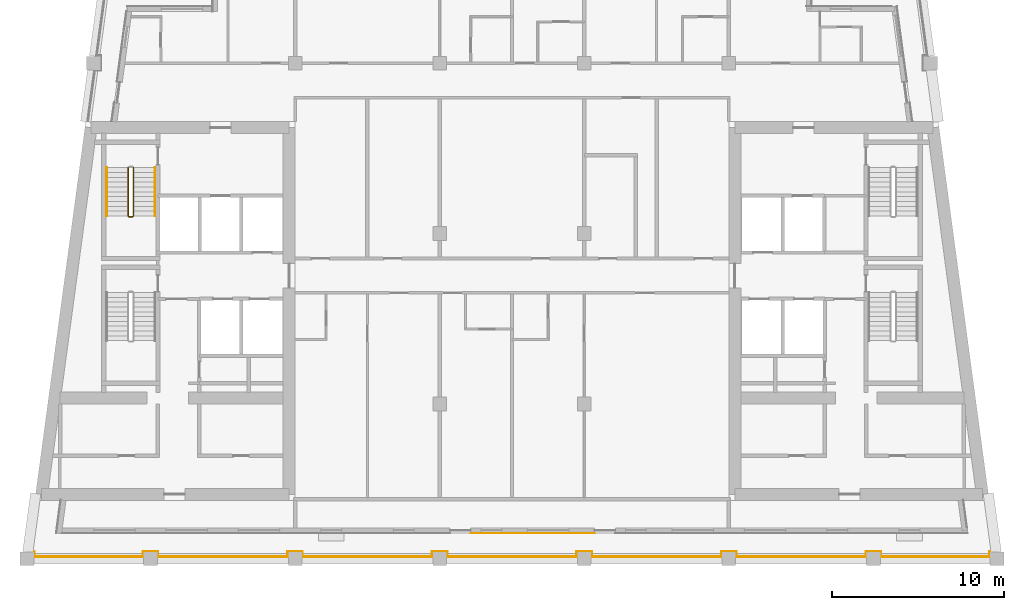
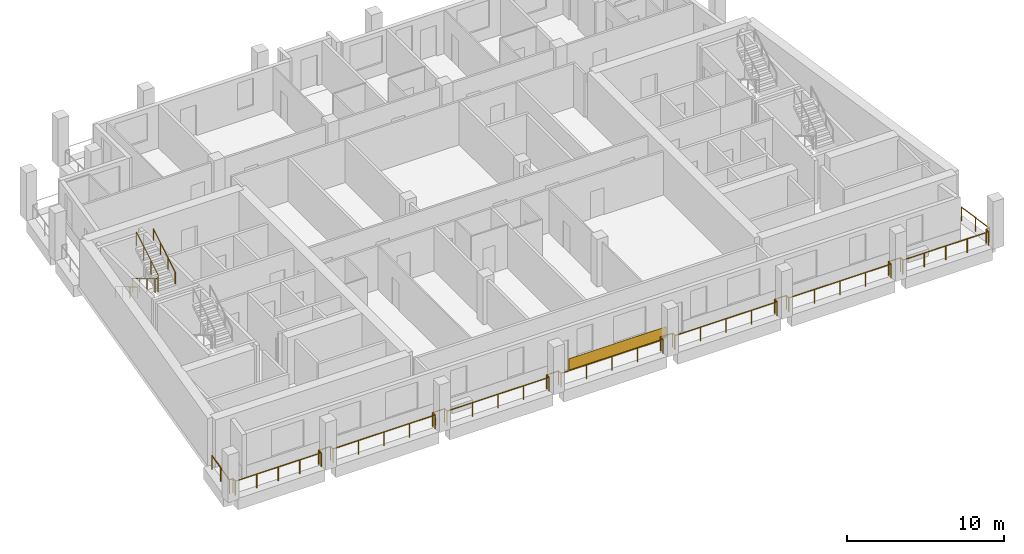
# One storey, part 9 of 14: 4 railings, 1 covering.
"""IFC4 building model written with IfcOpenShell, lengths in metres."""

from ifc_helpers import new_model, si_unit, direction, frame, origin, origin_2d, place, context, subcontext, project, spatial, rectangle, circle, extrude, material, layer, layer_set, type_object, element, save


model = new_model("IFC4")

# Units and contexts
model_context = context("Model", 3, precision=1e-05, world=origin(), true_north=direction((0.0, 1.0)))
body_context = subcontext(model_context, "Body", "Model", "MODEL_VIEW")
ifc_project = project(units=[si_unit("LENGTHUNIT", "METRE"), si_unit("AREAUNIT", "SQUARE_METRE"), si_unit("VOLUMEUNIT", "CUBIC_METRE"), si_unit("PLANEANGLEUNIT", "RADIAN"), si_unit("MASSUNIT", "GRAM", prefix="KILO")], contexts=[model_context])

# Site, building, storey
site_placement = place(None, origin())
site = spatial("IfcSite", under=ifc_project, at=site_placement, CompositionType="ELEMENT")
building_placement = place(site_placement, origin())
building = spatial("IfcBuilding", under=site, at=building_placement, Name="Candeia Pilgrim Tower and Theatre", CompositionType="ELEMENT")
storey_placement = place(building_placement, frame((0.0, 0.0, 266.39990234375)))
storey = spatial("IfcBuildingStorey", under=building, at=storey_placement, Name="L64", CompositionType="ELEMENT", Elevation=266.39990234375)

# Railing
ifc_material_1 = material(Name="Stainless steel balustrade", Category="steel")
railing_type_1 = type_object("IfcRailingType", Name="G1 loggia guard 1100", PredefinedType="GUARDRAIL", material=ifc_material_1)
railing_1_placement = place(storey_placement, frame((141.016357421875, 110.35009765625, 0.0)))
element("IfcRailing", 1, at=railing_1_placement, inside=storey, type_object=railing_type_1, Name="Guard L64.3", PredefinedType="GUARDRAIL", context=body_context, shape_type="SweptSolid", body=[
    extrude(circle(Radius=0.02392578125, at=origin_2d()), frame((0.0, 0.0, 1.076171875), z_axis=(0.133401056725, -0.991062136329, 0.0), x_axis=(0.991062136329, 0.133401056725, 0.0)), (0.0, 0.0, 1.0), 2.946533203125),
    extrude(circle(Radius=0.02392578125, at=origin_2d()), frame((0.39306640625, -2.920166015625, 1.076171875), z_axis=(-1.0, 0.0, 0.0), x_axis=(0.0, -1.0, 0.0)), (0.0, 0.0, 1.0), 0.2509765625),
    extrude(circle(Radius=0.02392578125, at=origin_2d()), frame((0.14208984375, -2.920166015625, 1.076171875), z_axis=(0.0, -1.0, 0.0), x_axis=(1.0, 0.0, 0.0)), (0.0, 0.0, 1.0), 0.309814453125),
    extrude(circle(Radius=0.02392578125, at=origin_2d()), frame((0.14208984375, -3.22998046875, 1.076171875), z_axis=(-1.0, 0.0, 0.0), x_axis=(0.0, -1.0, 0.0)), (0.0, 0.0, 1.0), 6.328369140625),
    extrude(circle(Radius=0.02392578125, at=origin_2d()), frame((-6.186279296875, -3.22998046875, 1.076171875), z_axis=(0.0, 1.0, 0.0), x_axis=(-1.0, 0.0, 0.0)), (0.0, 0.0, 1.0), 0.309814453125),
    extrude(circle(Radius=0.02392578125, at=origin_2d()), frame((-6.186279296875, -2.920166015625, 1.076171875), z_axis=(-1.0, 0.0, 0.0), x_axis=(0.0, -1.0, 0.0)), (0.0, 0.0, 1.0), 0.860107421875),
    extrude(circle(Radius=0.02392578125, at=origin_2d()), frame((-7.04638671875, -2.920166015625, 1.076171875), z_axis=(0.0, -1.0, 0.0), x_axis=(1.0, 0.0, 0.0)), (0.0, 0.0, 1.0), 0.309814453125),
    extrude(circle(Radius=0.02392578125, at=origin_2d()), frame((-7.04638671875, -3.22998046875, 1.076171875), z_axis=(-1.0, 0.0, 0.0), x_axis=(0.0, -1.0, 0.0)), (0.0, 0.0, 1.0), 7.5400390625),
    extrude(circle(Radius=0.02392578125, at=origin_2d()), frame((-14.58642578125, -3.22998046875, 1.076171875), z_axis=(0.0, 1.0, 0.0), x_axis=(-1.0, 0.0, 0.0)), (0.0, 0.0, 1.0), 0.309814453125),
    extrude(circle(Radius=0.02392578125, at=origin_2d()), frame((-14.58642578125, -2.920166015625, 1.076171875), z_axis=(-1.0, 0.0, 0.0), x_axis=(0.0, -1.0, 0.0)), (0.0, 0.0, 1.0), 0.85986328125),
    extrude(circle(Radius=0.02392578125, at=origin_2d()), frame((-15.4462890625, -2.920166015625, 1.076171875), z_axis=(0.0, -1.0, 0.0), x_axis=(1.0, 0.0, 0.0)), (0.0, 0.0, 1.0), 0.309814453125),
    extrude(circle(Radius=0.02392578125, at=origin_2d()), frame((-15.4462890625, -3.22998046875, 1.076171875), z_axis=(-1.0, 0.0, 0.0), x_axis=(0.0, -1.0, 0.0)), (0.0, 0.0, 1.0), 7.5400390625),
    extrude(circle(Radius=0.02392578125, at=origin_2d()), frame((-22.986328125, -3.22998046875, 1.076171875), z_axis=(0.0, 1.0, 0.0), x_axis=(-1.0, 0.0, 0.0)), (0.0, 0.0, 1.0), 0.309814453125),
    extrude(circle(Radius=0.02392578125, at=origin_2d()), frame((-22.986328125, -2.920166015625, 1.076171875), z_axis=(-1.0, 0.0, 0.0), x_axis=(0.0, -1.0, 0.0)), (0.0, 0.0, 1.0), 0.860107421875),
    extrude(circle(Radius=0.02392578125, at=origin_2d()), frame((-23.846435546875, -2.920166015625, 1.076171875), z_axis=(0.0, -1.0, 0.0), x_axis=(1.0, 0.0, 0.0)), (0.0, 0.0, 1.0), 0.309814453125),
    extrude(circle(Radius=0.02392578125, at=origin_2d()), frame((-23.846435546875, -3.22998046875, 1.076171875), z_axis=(-1.0, 0.0, 0.0), x_axis=(0.0, -1.0, 0.0)), (0.0, 0.0, 1.0), 7.5400390625),
    extrude(circle(Radius=0.02392578125, at=origin_2d()), frame((-31.386474609375, -3.22998046875, 1.076171875), z_axis=(0.0, 1.0, 0.0), x_axis=(-1.0, 0.0, 0.0)), (0.0, 0.0, 1.0), 0.309814453125),
    extrude(circle(Radius=0.02392578125, at=origin_2d()), frame((-31.386474609375, -2.920166015625, 1.076171875), z_axis=(-1.0, 0.0, 0.0), x_axis=(0.0, -1.0, 0.0)), (0.0, 0.0, 1.0), 0.85986328125),
    extrude(circle(Radius=0.02392578125, at=origin_2d()), frame((-32.246337890625, -2.920166015625, 1.076171875), z_axis=(0.0, -1.0, 0.0), x_axis=(1.0, 0.0, 0.0)), (0.0, 0.0, 1.0), 0.309814453125),
    extrude(circle(Radius=0.02392578125, at=origin_2d()), frame((-32.246337890625, -3.22998046875, 1.076171875), z_axis=(-1.0, 0.0, 0.0), x_axis=(0.0, -1.0, 0.0)), (0.0, 0.0, 1.0), 7.5400390625),
    extrude(circle(Radius=0.02392578125, at=origin_2d()), frame((-39.786376953125, -3.22998046875, 1.076171875), z_axis=(0.0, 1.0, 0.0), x_axis=(-1.0, 0.0, 0.0)), (0.0, 0.0, 1.0), 0.309814453125),
    extrude(circle(Radius=0.02392578125, at=origin_2d()), frame((-39.786376953125, -2.920166015625, 1.076171875), z_axis=(-1.0, 0.0, 0.0), x_axis=(0.0, -1.0, 0.0)), (0.0, 0.0, 1.0), 0.85986328125),
    extrude(circle(Radius=0.02392578125, at=origin_2d()), frame((-40.646240234375, -2.920166015625, 1.076171875), z_axis=(0.0, -1.0, 0.0), x_axis=(1.0, 0.0, 0.0)), (0.0, 0.0, 1.0), 0.309814453125),
    extrude(circle(Radius=0.02392578125, at=origin_2d()), frame((-40.646240234375, -3.22998046875, 1.076171875), z_axis=(-1.0, 0.0, 0.0), x_axis=(0.0, -1.0, 0.0)), (0.0, 0.0, 1.0), 7.5400390625),
    extrude(circle(Radius=0.02392578125, at=origin_2d()), frame((-48.186279296875, -3.22998046875, 1.076171875), z_axis=(0.0, 1.0, 0.0), x_axis=(-1.0, 0.0, 0.0)), (0.0, 0.0, 1.0), 0.309814453125),
    extrude(circle(Radius=0.02392578125, at=origin_2d()), frame((-48.186279296875, -2.920166015625, 1.076171875), z_axis=(-1.0, 0.0, 0.0), x_axis=(0.0, -1.0, 0.0)), (0.0, 0.0, 1.0), 0.860107421875),
    extrude(circle(Radius=0.02392578125, at=origin_2d()), frame((-49.04638671875, -2.920166015625, 1.076171875), z_axis=(0.0, -1.0, 0.0), x_axis=(1.0, 0.0, 0.0)), (0.0, 0.0, 1.0), 0.309814453125),
    extrude(circle(Radius=0.02392578125, at=origin_2d()), frame((-49.04638671875, -3.22998046875, 1.076171875), z_axis=(-1.0, 0.0, 0.0), x_axis=(0.0, -1.0, 0.0)), (0.0, 0.0, 1.0), 6.328369140625),
    extrude(circle(Radius=0.02392578125, at=origin_2d()), frame((-55.374755859375, -3.22998046875, 1.076171875), z_axis=(0.0, 1.0, 0.0), x_axis=(-1.0, 0.0, 0.0)), (0.0, 0.0, 1.0), 0.309814453125),
    extrude(circle(Radius=0.02392578125, at=origin_2d()), frame((-55.374755859375, -2.920166015625, 1.076171875), z_axis=(-1.0, 0.0, 0.0), x_axis=(0.0, -1.0, 0.0)), (0.0, 0.0, 1.0), 0.2509765625),
    extrude(circle(Radius=0.02392578125, at=origin_2d()), frame((-55.625732421875, -2.920166015625, 1.076171875), z_axis=(0.133401056725, 0.991062136329, 0.0), x_axis=(-0.991062136329, 0.133401056725, 0.0)), (0.0, 0.0, 1.0), 2.946533203125),
    extrude(circle(Radius=0.02099609375, at=origin_2d()), origin(), (0.0, 0.0, 1.0), 1.052001953125),
    extrude(circle(Radius=0.02099609375, at=origin_2d()), frame((0.196533203125, -1.4599609375, 0.0)), (0.0, 0.0, 1.0), 1.052001953125),
    extrude(circle(Radius=0.02099609375, at=origin_2d()), frame((0.39306640625, -2.920166015625, 0.0)), (0.0, 0.0, 1.0), 1.052001953125),
    extrude(circle(Radius=0.02099609375, at=origin_2d()), frame((0.14208984375, -2.920166015625, 0.0)), (0.0, 0.0, 1.0), 1.052001953125),
    extrude(circle(Radius=0.02099609375, at=origin_2d()), frame((0.14208984375, -3.22998046875, 0.0)), (0.0, 0.0, 1.0), 1.052001953125),
    extrude(circle(Radius=0.02099609375, at=origin_2d()), frame((-1.43994140625, -3.22998046875, 0.0)), (0.0, 0.0, 1.0), 1.052001953125),
    extrude(circle(Radius=0.02099609375, at=origin_2d()), frame((-3.02197265625, -3.22998046875, 0.0)), (0.0, 0.0, 1.0), 1.052001953125),
    extrude(circle(Radius=0.02099609375, at=origin_2d()), frame((-4.604248046875, -3.22998046875, 0.0)), (0.0, 0.0, 1.0), 1.052001953125),
    extrude(circle(Radius=0.02099609375, at=origin_2d()), frame((-6.186279296875, -3.22998046875, 0.0)), (0.0, 0.0, 1.0), 1.052001953125),
    extrude(circle(Radius=0.02099609375, at=origin_2d()), frame((-6.186279296875, -2.920166015625, 0.0)), (0.0, 0.0, 1.0), 1.052001953125),
    extrude(circle(Radius=0.02099609375, at=origin_2d()), frame((-7.04638671875, -2.920166015625, 0.0)), (0.0, 0.0, 1.0), 1.052001953125),
    extrude(circle(Radius=0.02099609375, at=origin_2d()), frame((-7.04638671875, -3.22998046875, 0.0)), (0.0, 0.0, 1.0), 1.052001953125),
    extrude(circle(Radius=0.02099609375, at=origin_2d()), frame((-8.931396484375, -3.22998046875, 0.0)), (0.0, 0.0, 1.0), 1.052001953125),
    extrude(circle(Radius=0.02099609375, at=origin_2d()), frame((-10.81640625, -3.22998046875, 0.0)), (0.0, 0.0, 1.0), 1.052001953125),
    extrude(circle(Radius=0.02099609375, at=origin_2d()), frame((-12.701416015625, -3.22998046875, 0.0)), (0.0, 0.0, 1.0), 1.052001953125),
    extrude(circle(Radius=0.02099609375, at=origin_2d()), frame((-14.58642578125, -3.22998046875, 0.0)), (0.0, 0.0, 1.0), 1.052001953125),
    extrude(circle(Radius=0.02099609375, at=origin_2d()), frame((-14.58642578125, -2.920166015625, 0.0)), (0.0, 0.0, 1.0), 1.052001953125),
    extrude(circle(Radius=0.02099609375, at=origin_2d()), frame((-15.4462890625, -2.920166015625, 0.0)), (0.0, 0.0, 1.0), 1.052001953125),
    extrude(circle(Radius=0.02099609375, at=origin_2d()), frame((-15.4462890625, -3.22998046875, 0.0)), (0.0, 0.0, 1.0), 1.052001953125),
    extrude(circle(Radius=0.02099609375, at=origin_2d()), frame((-17.331298828125, -3.22998046875, 0.0)), (0.0, 0.0, 1.0), 1.052001953125),
    extrude(circle(Radius=0.02099609375, at=origin_2d()), frame((-19.21630859375, -3.22998046875, 0.0)), (0.0, 0.0, 1.0), 1.052001953125),
    extrude(circle(Radius=0.02099609375, at=origin_2d()), frame((-21.101318359375, -3.22998046875, 0.0)), (0.0, 0.0, 1.0), 1.052001953125),
    extrude(circle(Radius=0.02099609375, at=origin_2d()), frame((-22.986328125, -3.22998046875, 0.0)), (0.0, 0.0, 1.0), 1.052001953125),
    extrude(circle(Radius=0.02099609375, at=origin_2d()), frame((-22.986328125, -2.920166015625, 0.0)), (0.0, 0.0, 1.0), 1.052001953125),
    extrude(circle(Radius=0.02099609375, at=origin_2d()), frame((-23.846435546875, -2.920166015625, 0.0)), (0.0, 0.0, 1.0), 1.052001953125),
    extrude(circle(Radius=0.02099609375, at=origin_2d()), frame((-23.846435546875, -3.22998046875, 0.0)), (0.0, 0.0, 1.0), 1.052001953125),
    extrude(circle(Radius=0.02099609375, at=origin_2d()), frame((-25.7314453125, -3.22998046875, 0.0)), (0.0, 0.0, 1.0), 1.052001953125),
    extrude(circle(Radius=0.02099609375, at=origin_2d()), frame((-27.616455078125, -3.22998046875, 0.0)), (0.0, 0.0, 1.0), 1.052001953125),
    extrude(circle(Radius=0.02099609375, at=origin_2d()), frame((-29.50146484375, -3.22998046875, 0.0)), (0.0, 0.0, 1.0), 1.052001953125),
    extrude(circle(Radius=0.02099609375, at=origin_2d()), frame((-31.386474609375, -3.22998046875, 0.0)), (0.0, 0.0, 1.0), 1.052001953125),
    extrude(circle(Radius=0.02099609375, at=origin_2d()), frame((-31.386474609375, -2.920166015625, 0.0)), (0.0, 0.0, 1.0), 1.052001953125),
    extrude(circle(Radius=0.02099609375, at=origin_2d()), frame((-32.246337890625, -2.920166015625, 0.0)), (0.0, 0.0, 1.0), 1.052001953125),
    extrude(circle(Radius=0.02099609375, at=origin_2d()), frame((-32.246337890625, -3.22998046875, 0.0)), (0.0, 0.0, 1.0), 1.052001953125),
    extrude(circle(Radius=0.02099609375, at=origin_2d()), frame((-34.13134765625, -3.22998046875, 0.0)), (0.0, 0.0, 1.0), 1.052001953125),
    extrude(circle(Radius=0.02099609375, at=origin_2d()), frame((-36.016357421875, -3.22998046875, 0.0)), (0.0, 0.0, 1.0), 1.052001953125),
    extrude(circle(Radius=0.02099609375, at=origin_2d()), frame((-37.9013671875, -3.22998046875, 0.0)), (0.0, 0.0, 1.0), 1.052001953125),
    extrude(circle(Radius=0.02099609375, at=origin_2d()), frame((-39.786376953125, -3.22998046875, 0.0)), (0.0, 0.0, 1.0), 1.052001953125),
    extrude(circle(Radius=0.02099609375, at=origin_2d()), frame((-39.786376953125, -2.920166015625, 0.0)), (0.0, 0.0, 1.0), 1.052001953125),
    extrude(circle(Radius=0.02099609375, at=origin_2d()), frame((-40.646240234375, -2.920166015625, 0.0)), (0.0, 0.0, 1.0), 1.052001953125),
    extrude(circle(Radius=0.02099609375, at=origin_2d()), frame((-40.646240234375, -3.22998046875, 0.0)), (0.0, 0.0, 1.0), 1.052001953125),
    extrude(circle(Radius=0.02099609375, at=origin_2d()), frame((-42.53125, -3.22998046875, 0.0)), (0.0, 0.0, 1.0), 1.052001953125),
    extrude(circle(Radius=0.02099609375, at=origin_2d()), frame((-44.416259765625, -3.22998046875, 0.0)), (0.0, 0.0, 1.0), 1.052001953125),
    extrude(circle(Radius=0.02099609375, at=origin_2d()), frame((-46.30126953125, -3.22998046875, 0.0)), (0.0, 0.0, 1.0), 1.052001953125),
    extrude(circle(Radius=0.02099609375, at=origin_2d()), frame((-48.186279296875, -3.22998046875, 0.0)), (0.0, 0.0, 1.0), 1.052001953125),
    extrude(circle(Radius=0.02099609375, at=origin_2d()), frame((-48.186279296875, -2.920166015625, 0.0)), (0.0, 0.0, 1.0), 1.052001953125),
    extrude(circle(Radius=0.02099609375, at=origin_2d()), frame((-49.04638671875, -2.920166015625, 0.0)), (0.0, 0.0, 1.0), 1.052001953125),
    extrude(circle(Radius=0.02099609375, at=origin_2d()), frame((-49.04638671875, -3.22998046875, 0.0)), (0.0, 0.0, 1.0), 1.052001953125),
    extrude(circle(Radius=0.02099609375, at=origin_2d()), frame((-50.62841796875, -3.22998046875, 0.0)), (0.0, 0.0, 1.0), 1.052001953125),
    extrude(circle(Radius=0.02099609375, at=origin_2d()), frame((-52.21044921875, -3.22998046875, 0.0)), (0.0, 0.0, 1.0), 1.052001953125),
    extrude(circle(Radius=0.02099609375, at=origin_2d()), frame((-53.792724609375, -3.22998046875, 0.0)), (0.0, 0.0, 1.0), 1.052001953125),
    extrude(circle(Radius=0.02099609375, at=origin_2d()), frame((-55.374755859375, -3.22998046875, 0.0)), (0.0, 0.0, 1.0), 1.052001953125),
    extrude(circle(Radius=0.02099609375, at=origin_2d()), frame((-55.374755859375, -2.920166015625, 0.0)), (0.0, 0.0, 1.0), 1.052001953125),
    extrude(circle(Radius=0.02099609375, at=origin_2d()), frame((-55.625732421875, -2.920166015625, 0.0)), (0.0, 0.0, 1.0), 1.052001953125),
    extrude(circle(Radius=0.02099609375, at=origin_2d()), frame((-55.42919921875, -1.4599609375, 0.0)), (0.0, 0.0, 1.0), 1.052001953125),
    extrude(circle(Radius=0.02099609375, at=origin_2d()), frame((-55.232666015625, 0.0, 0.0)), (0.0, 0.0, 1.0), 1.052001953125),
])

# Covering
ifc_material_2 = material(Name="Glazed ceramic tile bottle green")
ifc_layer = layer(ifc_material_2, 0.02001953125)
ifc_layer_set = layer_set([ifc_layer], Name="Glazed ceramic tile bottle green")
covering_type = type_object("IfcCoveringType", Name="Glazed ceramic tile bottle green", PredefinedType="CLADDING", material=ifc_layer_set)
covering_placement = place(storey_placement, frame((114.60009765625, 108.489990234375, 0.000244140625), z_axis=(0.0, 0.0, 1.0), x_axis=(1.0, 0.0, 0.0)))
element("IfcCovering", 2, at=covering_placement, inside=storey, type_object=covering_type, Name="Tile cladding bottle green L64", PredefinedType="CLADDING", context=body_context, shape_type="SweptSolid", body=[
    extrude(rectangle(XDim=7.199951171875, YDim=0.02001953125, at=origin_2d()), origin(), (0.0, 0.0, 1.0), 0.89990234375),
])

# Railings
railing_type_2 = type_object("IfcRailingType", Name="RL-GUARD-1100", PredefinedType="GUARDRAIL", material=ifc_material_1)
railing_2_placement = place(storey_placement, frame((91.10205078125, 129.72509765625, 0.168212890625)))
element("IfcRailing", 3, at=railing_2_placement, inside=storey, type_object=railing_type_2, Name="L64 ST2 stair guard 1", PredefinedType="GUARDRAIL", context=body_context, shape_type="SweptSolid", body=[
    extrude(circle(Radius=0.02392578125, at=origin_2d()), frame((0.0, 0.0, 1.076171875), z_axis=(0.0, -0.857242210791, 0.514913383045), x_axis=(1.0, 0.0, 0.0)), (0.0, 0.0, 1.0), 3.266357421875),
    extrude(circle(Radius=0.02392578125, at=origin_2d()), frame((0.0, -2.800048828125, 2.7578125), z_axis=(0.707106781187, -0.707106781187, 0.0), x_axis=(0.707106781187, 0.707106781187, 0.0)), (0.0, 0.0, 1.0), 0.07080078125),
    extrude(circle(Radius=0.02392578125, at=origin_2d()), frame((0.050048828125, -2.85009765625, 2.7578125), z_axis=(1.0, 0.0, 0.0), x_axis=(0.0, 1.0, 0.0)), (0.0, 0.0, 1.0), 0.199951171875),
    extrude(circle(Radius=0.02392578125, at=origin_2d()), frame((0.25, -2.85009765625, 2.7578125), z_axis=(0.274243871929, 0.274243871929, 0.92172696468), x_axis=(-0.707106781187, 0.707106781187, 0.0)), (0.0, 0.0, 1.0), 0.1826171875),
    extrude(circle(Radius=0.02392578125, at=origin_2d()), frame((0.300048828125, -2.800048828125, 2.92626953125), z_axis=(0.0, 0.857242210791, 0.514913383045), x_axis=(-1.0, 0.0, 0.0)), (0.0, 0.0, 1.0), 3.266357421875),
    extrude(circle(Radius=0.02099609375, at=origin_2d()), origin(), (0.0, 0.0, 1.0), 1.052001953125),
    extrude(circle(Radius=0.02099609375, at=origin_2d()), frame((0.0, -0.933349609375, 0.560546875)), (0.0, 0.0, 1.0), 1.052001953125),
    extrude(circle(Radius=0.02099609375, at=origin_2d()), frame((0.0, -1.86669921875, 1.121337890625)), (0.0, 0.0, 1.0), 1.052001953125),
    extrude(circle(Radius=0.02099609375, at=origin_2d()), frame((0.0, -2.800048828125, 1.681884765625)), (0.0, 0.0, 1.0), 1.052001953125),
    extrude(circle(Radius=0.02099609375, at=origin_2d()), frame((0.050048828125, -2.85009765625, 1.681884765625)), (0.0, 0.0, 1.0), 1.052001953125),
    extrude(circle(Radius=0.02099609375, at=origin_2d()), frame((0.25, -2.85009765625, 1.681884765625)), (0.0, 0.0, 1.0), 1.052001953125),
    extrude(circle(Radius=0.02099609375, at=origin_2d()), frame((0.300048828125, -2.800048828125, 1.85009765625)), (0.0, 0.0, 1.0), 1.052001953125),
    extrude(circle(Radius=0.02099609375, at=origin_2d()), frame((0.300048828125, -1.86669921875, 2.41064453125)), (0.0, 0.0, 1.0), 1.052001953125),
    extrude(circle(Radius=0.02099609375, at=origin_2d()), frame((0.300048828125, -0.933349609375, 2.971435546875)), (0.0, 0.0, 1.0), 1.052001953125),
    extrude(circle(Radius=0.02099609375, at=origin_2d()), frame((0.300048828125, 0.0, 3.531982421875)), (0.0, 0.0, 1.0), 1.052001953125),
])
ifc_material_3 = material(Name="Stainless steel handrail", Category="steel")
railing_type_3 = type_object("IfcRailingType", Name="RL-HANDRAIL-900", PredefinedType="HANDRAIL", material=ifc_material_3)
railing_3_placement = place(storey_placement, frame((89.85205078125, 129.72509765625, 0.168212890625)))
element("IfcRailing", 4, at=railing_3_placement, inside=storey, type_object=railing_type_3, Name="L64 ST2 stair handrail 1", PredefinedType="HANDRAIL", context=body_context, shape_type="SweptSolid", body=[
    extrude(circle(Radius=0.02392578125, at=origin_2d()), frame((0.0, 0.0, 0.8759765625), z_axis=(0.0, -0.857242210791, 0.514913383045), x_axis=(1.0, 0.0, 0.0)), (0.0, 0.0, 1.0), 3.266357421875),
    extrude(circle(Radius=0.02099609375, at=origin_2d()), origin(), (0.0, 0.0, 1.0), 0.851806640625),
    extrude(circle(Radius=0.02099609375, at=origin_2d()), frame((0.0, -0.933349609375, 0.560546875)), (0.0, 0.0, 1.0), 0.851806640625),
    extrude(circle(Radius=0.02099609375, at=origin_2d()), frame((0.0, -1.86669921875, 1.121337890625)), (0.0, 0.0, 1.0), 0.851806640625),
    extrude(circle(Radius=0.02099609375, at=origin_2d()), frame((0.0, -2.800048828125, 1.681884765625)), (0.0, 0.0, 1.0), 0.851806640625),
])
railing_4_placement = place(storey_placement, frame((92.652099609375, 126.925048828125, 2.018310546875)))
element("IfcRailing", 5, at=railing_4_placement, inside=storey, type_object=railing_type_3, Name="L64 ST2 stair handrail 2", PredefinedType="HANDRAIL", context=body_context, shape_type="SweptSolid", body=[
    extrude(circle(Radius=0.02392578125, at=origin_2d()), frame((0.0, 0.0, 0.8759765625), z_axis=(0.0, 0.857242210791, 0.514913383045), x_axis=(-1.0, 0.0, 0.0)), (0.0, 0.0, 1.0), 3.266357421875),
    extrude(circle(Radius=0.02099609375, at=origin_2d()), origin(), (0.0, 0.0, 1.0), 0.851806640625),
    extrude(circle(Radius=0.02099609375, at=origin_2d()), frame((0.0, 0.933349609375, 0.560546875)), (0.0, 0.0, 1.0), 0.851806640625),
    extrude(circle(Radius=0.02099609375, at=origin_2d()), frame((0.0, 1.86669921875, 1.121337890625)), (0.0, 0.0, 1.0), 0.851806640625),
    extrude(circle(Radius=0.02099609375, at=origin_2d()), frame((0.0, 2.800048828125, 1.681884765625)), (0.0, 0.0, 1.0), 0.851806640625),
])

save(model, "model.ifc")
